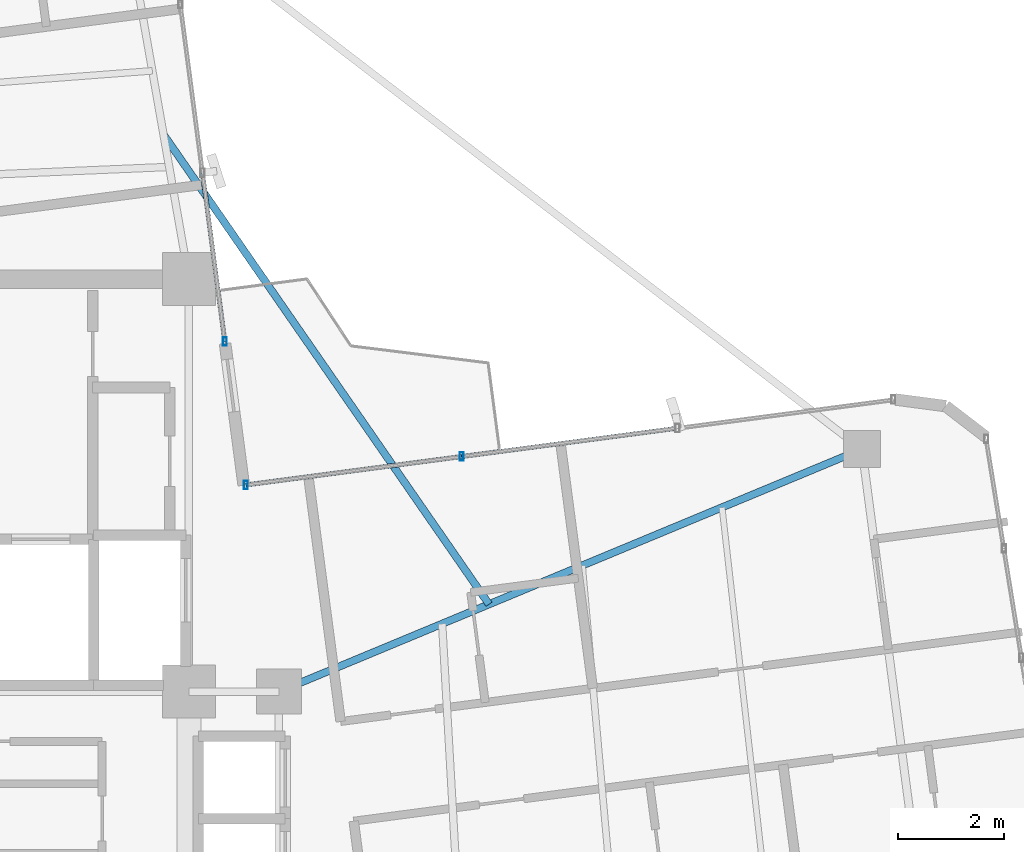
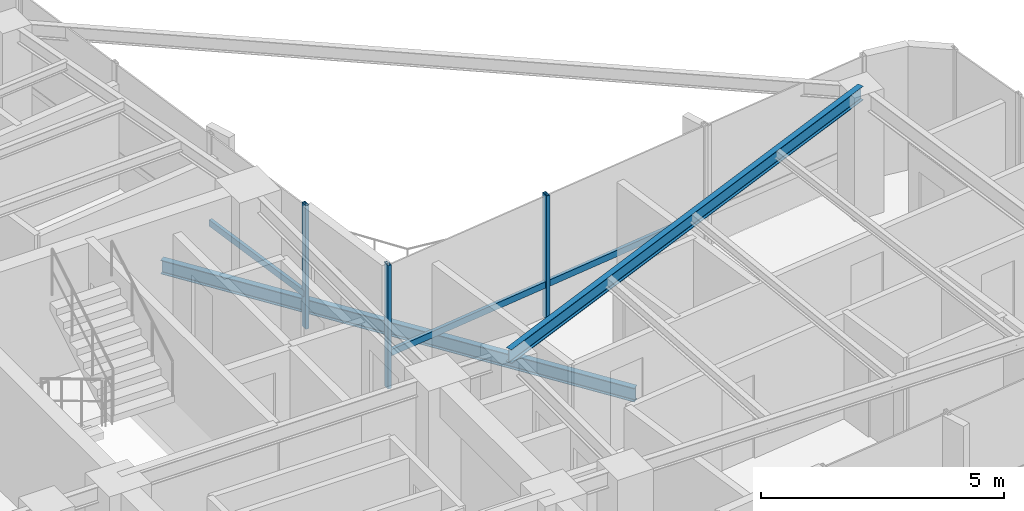
# One storey, part 11 of 22: 6 members, 2 beams, 2 elements without a shape of their own.
"""IFC4 building model written with IfcOpenShell, lengths in metres."""

from ifc_helpers import new_model, si_unit, direction, frame, origin, origin_2d, place, context, subcontext, project, spatial, hollow_rectangle, i_section, extrude, source, transform, mapped, material, material_profile, profile_set, type_object, element, aggregate, save


model = new_model("IFC4")

# Units and contexts
model_context = context("Model", 3, precision=1e-05, world=origin(), true_north=direction((0.0, 1.0)))
body_context = subcontext(model_context, "Body", "Model", "MODEL_VIEW")
ifc_project = project(units=[si_unit("LENGTHUNIT", "METRE"), si_unit("AREAUNIT", "SQUARE_METRE"), si_unit("VOLUMEUNIT", "CUBIC_METRE"), si_unit("PLANEANGLEUNIT", "RADIAN"), si_unit("MASSUNIT", "GRAM", prefix="KILO")], contexts=[model_context])

# Site, building, storey
site_placement = place(None, origin())
site = spatial("IfcSite", under=ifc_project, at=site_placement, CompositionType="ELEMENT")
building_placement = place(site_placement, origin())
building = spatial("IfcBuilding", under=site, at=building_placement, Name="Sahyath Konkavel Grand Hotel", CompositionType="ELEMENT")
storey_placement = place(building_placement, frame((0.0, 0.0, 244.5)))
storey = spatial("IfcBuildingStorey", under=building, at=storey_placement, Name="L68", CompositionType="ELEMENT", Elevation=244.5)

# Beam
ifc_material_1 = material(Name="Steel E350", Category="steel")
ifc_material_profile_1 = material_profile(ifc_material_1, i_section(OverallWidth=0.139892578125, OverallDepth=0.35009765625, WebThickness=0.008056640625, FlangeThickness=0.01416015625, FilletRadius=0.013916015625, at=origin_2d()), Name="ISMB 350")
ifc_profile_set_1 = profile_set([ifc_material_profile_1], Name="Steel E350")
beam_type_1 = type_object("IfcBeamType", Name="BM-ISMB350", PredefinedType="BEAM", material=ifc_profile_set_1)
shared_shape_1 = source(origin(), body_context, "Body", "SweptSolid", [
    extrude(i_section(OverallWidth=0.139892578125, OverallDepth=0.35009765625, WebThickness=0.008056640625, FlangeThickness=0.01416015625, FilletRadius=0.013916015625, at=origin_2d()), origin(), (0.0, 0.0, 1.0), 11.937744140625),
])
beam_1_placement = place(storey_placement, frame((5.5, 2.39990234375, 2.93505859375), z_axis=(0.923353199855, 0.38395164841, 0.0), x_axis=(-0.38395164841, 0.923353199855, 0.0)))
element("IfcBeam", 1, at=beam_1_placement, inside=storey, type_object=beam_type_1, Name="L68 Cruciform Radial Girder EB", PredefinedType="BEAM", context=body_context, shape_type="MappedRepresentation", body=[
    mapped(shared_shape_1, transform((0.0, 0.0, 0.0), scale=1.0)),
])

# Curtain wall, members
ifc_material_2 = material(Name="Anodised Bronze Aluminium & Low-E Glazing", Category="aluminium")
curtain_wall_type = type_object("IfcCurtainWallType", Name="CW-ZONE4", PredefinedType="NOTDEFINED", material=ifc_material_2)
curtain_wall_1_placement = place(storey_placement, origin())
curtain_wall_1 = element("IfcCurtainWall", 2, at=curtain_wall_1_placement, inside=storey, type_object=curtain_wall_type, Name="L68 Unitised Curtain Wall F7", PredefinedType="NOTDEFINED")
ifc_material_3 = material(Name="Anodised Bronze Aluminium", Category="aluminium")
ifc_material_profile_2 = material_profile(ifc_material_3, hollow_rectangle(XDim=0.080078125, YDim=0.159912109375, WallThickness=0.006103515625, at=origin_2d()), Name="RHS 160x80x6")
ifc_profile_set_2 = profile_set([ifc_material_profile_2], Name="Anodised Bronze Aluminium")
member_type_1 = type_object("IfcMemberType", Name="CW-MUL-160", PredefinedType="MULLION", material=ifc_profile_set_2)
shared_shape_2 = source(origin(), body_context, "Body", "SweptSolid", [
    extrude(hollow_rectangle(XDim=0.080078125, YDim=0.159912109375, WallThickness=0.006103515625, at=origin_2d()), origin(), (0.0, 0.0, 1.0), 3.110107421875),
])
member_1_placement = place(storey_placement, frame((8.95556640625, 6.844482421875, 0.0), z_axis=(0.0, 0.0, 1.0), x_axis=(1.0, 0.0, 0.0)))
member_1 = element("IfcMember", 3, at=member_1_placement, type_object=member_type_1, Name="L68 Curtain Wall Mullion F7-2", PredefinedType="MULLION", context=body_context, shape_type="MappedRepresentation", body=[
    mapped(shared_shape_2, transform((0.0, 0.0, 0.0), scale=1.0)),
])
member_2_placement = place(storey_placement, frame((4.87548828125, 6.307373046875, 0.0), z_axis=(0.0, 0.0, 1.0), x_axis=(1.0, 0.0, 0.0)))
member_2 = element("IfcMember", 4, at=member_2_placement, type_object=member_type_1, Name="L68 Curtain Wall Mullion F7-3", PredefinedType="MULLION", context=body_context, shape_type="MappedRepresentation", body=[
    mapped(shared_shape_2, transform((0.0, 0.0, 0.0), scale=1.0)),
])

curtain_wall_2_placement = place(storey_placement, origin())
curtain_wall_2 = element("IfcCurtainWall", 5, at=curtain_wall_2_placement, inside=storey, type_object=curtain_wall_type, Name="L68 Unitised Curtain Wall F8", PredefinedType="NOTDEFINED")
member_3_placement = place(storey_placement, frame((4.478271484375, 9.018798828125, 0.0), z_axis=(0.0, 0.0, 1.0), x_axis=(1.0, 0.0, 0.0)))
member_3 = element("IfcMember", 6, at=member_3_placement, type_object=member_type_1, Name="L68 Curtain Wall Mullion F8-0", PredefinedType="MULLION", context=body_context, shape_type="MappedRepresentation", body=[
    mapped(shared_shape_2, transform((0.0, 0.0, 0.0), scale=1.0)),
])
ifc_material_profile_3 = material_profile(ifc_material_3, hollow_rectangle(XDim=0.080078125, YDim=0.159912109375, WallThickness=0.006103515625, at=origin_2d()), Name="RHS 160x80x6")
ifc_profile_set_3 = profile_set([ifc_material_profile_3], Name="Anodised Bronze Aluminium")
member_type_2 = type_object("IfcMemberType", Name="CW-TRN-160", PredefinedType="USERDEFINED", material=ifc_profile_set_3)
shared_shape_3 = source(origin(), body_context, "Body", "SweptSolid", [
    extrude(hollow_rectangle(XDim=0.080078125, YDim=0.159912109375, WallThickness=0.006103515625, at=origin_2d()), origin(), (0.0, 0.0, 1.0), 3.21533203125),
])
member_4_placement = place(storey_placement, frame((4.478271484375, 9.018798828125, 0.85009765625), z_axis=(-0.130527187822, 0.9914447303, 0.0), x_axis=(-0.9914447303, -0.130527187822, 0.0)))
member_4 = element("IfcMember", 7, at=member_4_placement, type_object=member_type_2, Name="L68 Curtain Wall Transom F8-0-spandrel", ObjectType="TRANSOM", PredefinedType="USERDEFINED", context=body_context, shape_type="MappedRepresentation", body=[
    mapped(shared_shape_3, transform((0.0, 0.0, 0.0), scale=1.0)),
])
aggregate(curtain_wall_2, [member_3, member_4])

# Member
shared_shape_4 = source(origin(), body_context, "Body", "SweptSolid", [
    extrude(hollow_rectangle(XDim=0.080078125, YDim=0.159912109375, WallThickness=0.006103515625, at=origin_2d()), origin(), (0.0, 0.0, 1.0), 4.115234375),
])
member_5_placement = place(storey_placement, frame((13.03564453125, 7.381591796875, 0.85009765625), z_axis=(-0.991446216664, -0.130515897359, 0.0), x_axis=(0.130515897359, -0.991446216664, 0.0)))
member_5 = element("IfcMember", 8, at=member_5_placement, type_object=member_type_2, Name="L68 Curtain Wall Transom F7-1-spandrel", ObjectType="TRANSOM", PredefinedType="USERDEFINED", context=body_context, shape_type="MappedRepresentation", body=[
    mapped(shared_shape_4, transform((0.0, 0.0, 0.0), scale=1.0)),
])

member_6_placement = place(storey_placement, frame((8.95556640625, 6.844482421875, 0.85009765625), z_axis=(-0.991446216664, -0.130515897359, 0.0), x_axis=(0.130515897359, -0.991446216664, 0.0)))
member_6 = element("IfcMember", 9, at=member_6_placement, type_object=member_type_2, Name="L68 Curtain Wall Transom F7-2-spandrel", ObjectType="TRANSOM", PredefinedType="USERDEFINED", context=body_context, shape_type="MappedRepresentation", body=[
    mapped(shared_shape_4, transform((0.0, 0.0, 0.0), scale=1.0)),
])

aggregate(curtain_wall_1, [member_1, member_2, member_5, member_6])

# Beam
ifc_material_profile_4 = material_profile(ifc_material_1, i_section(OverallWidth=0.139892578125, OverallDepth=0.35009765625, WebThickness=0.008056640625, FlangeThickness=0.01416015625, FilletRadius=0.013916015625, at=origin_2d()), Name="ISMB 350")
ifc_profile_set_4 = profile_set([ifc_material_profile_4], Name="Steel E350")
beam_type_2 = type_object("IfcBeamType", Name="BM-BALC-CANT", PredefinedType="BEAM", material=ifc_profile_set_4)
shared_shape_5 = source(origin(), body_context, "Body", "SweptSolid", [
    extrude(i_section(OverallWidth=0.139892578125, OverallDepth=0.35009765625, WebThickness=0.008056640625, FlangeThickness=0.01416015625, FilletRadius=0.013916015625, at=origin_2d()), origin(), (0.0, 0.0, 1.0), 10.80029296875),
])
beam_2_placement = place(storey_placement, frame((9.472900390625, 4.052001953125, -0.4150390625), z_axis=(-0.569550810454, 0.821956126756, 0.0), x_axis=(-0.821956126756, -0.569550810454, 0.0)))
element("IfcBeam", 10, at=beam_2_placement, inside=storey, type_object=beam_type_2, Name="L68 Balcony Cantilever Support Beam NE", PredefinedType="BEAM", context=body_context, shape_type="MappedRepresentation", body=[
    mapped(shared_shape_5, transform((0.0, 0.0, 0.0), scale=1.0)),
])

save(model, "model.ifc")
